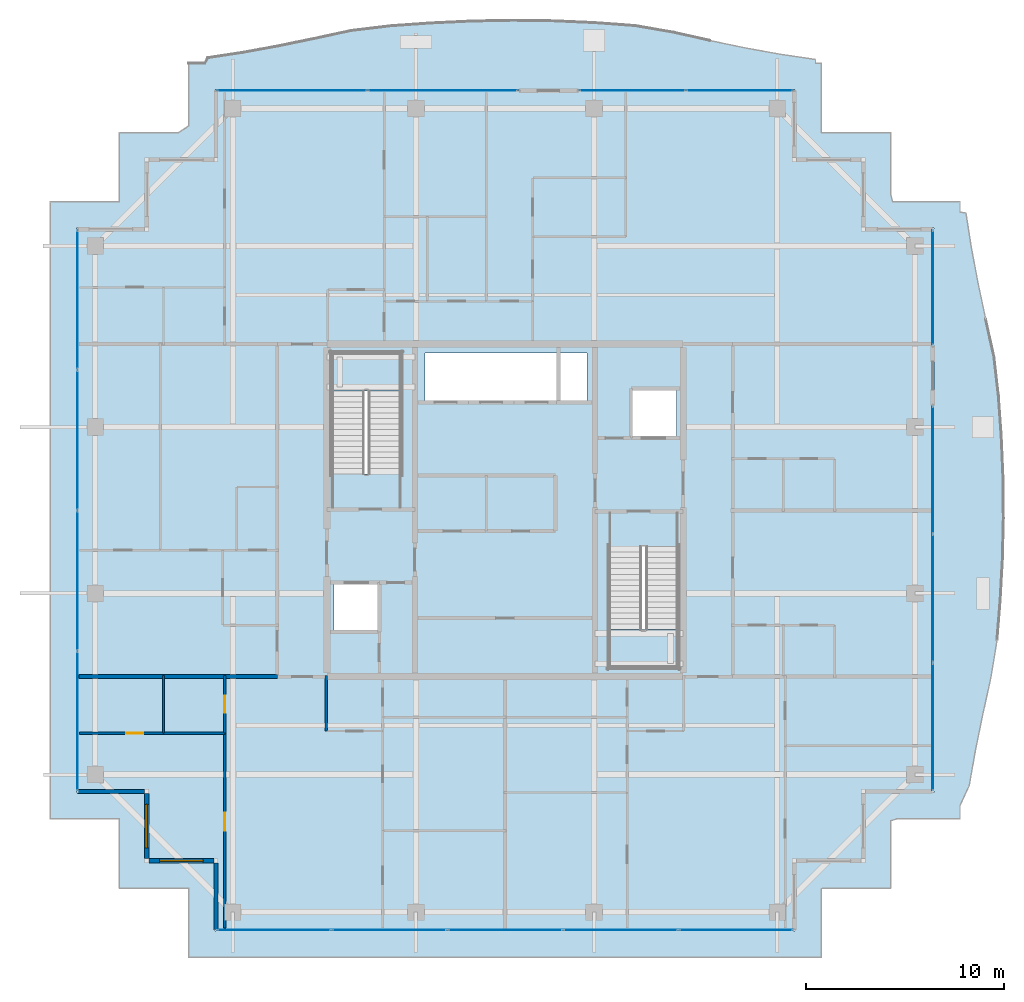
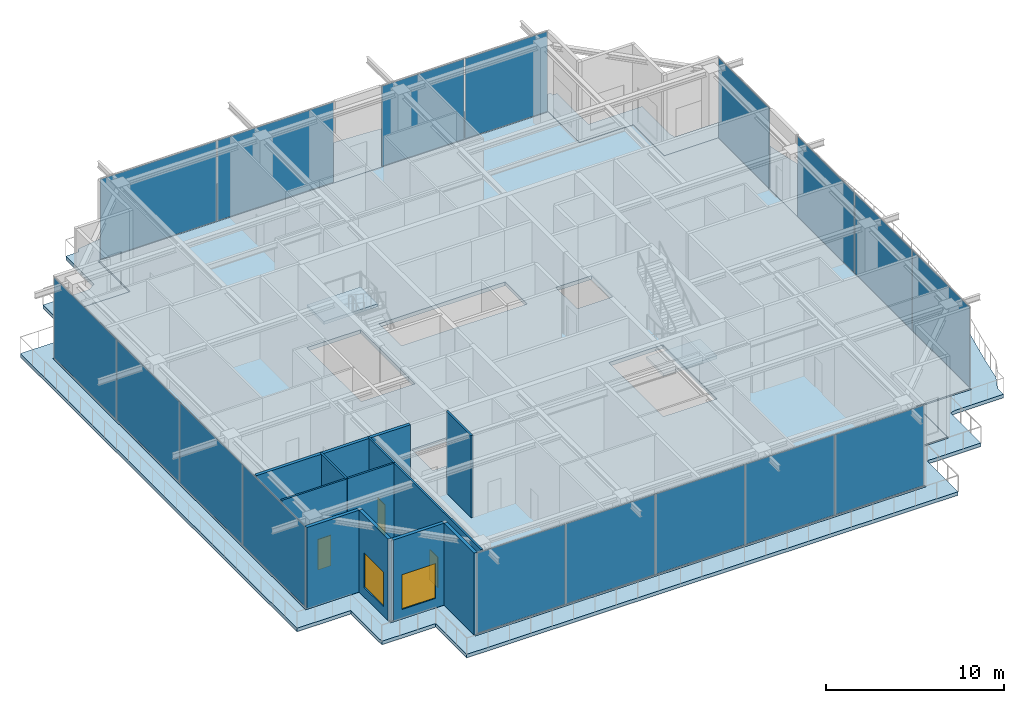
# One storey, part 26 of 40: 17 plates, 11 walls, 4 slabs, 3 doors, 2 windows, 5 openings, 8 elements without a shape of their own.
"""IFC4 building model written with IfcOpenShell, lengths in metres."""

from ifc_helpers import new_model, si_unit, direction, frame, frame_2d, origin, origin_2d, place, context, subcontext, project, spatial, polyline, rectangle, outline, extrude, source, transform, mapped, material, layer, layer_set, type_object, element, fill, aggregate, save


model = new_model("IFC4")

# Units and contexts
model_context = context("Model", 3, precision=1e-05, world=origin(), true_north=direction((0.0, 1.0)))
body_context = subcontext(model_context, "Body", "Model", "MODEL_VIEW")
ifc_project = project(units=[si_unit("LENGTHUNIT", "METRE"), si_unit("AREAUNIT", "SQUARE_METRE"), si_unit("VOLUMEUNIT", "CUBIC_METRE"), si_unit("PLANEANGLEUNIT", "RADIAN"), si_unit("MASSUNIT", "GRAM", prefix="KILO")], contexts=[model_context])

# Site, building, storey
site_placement = place(None, origin())
site = spatial("IfcSite", under=ifc_project, at=site_placement, CompositionType="ELEMENT")
building_placement = place(site_placement, origin())
building = spatial("IfcBuilding", under=site, at=building_placement, Name="Serunith Strait Residences", CompositionType="ELEMENT")
storey_placement = place(building_placement, frame((0.0, 0.0, 347.949951171875)))
storey = spatial("IfcBuildingStorey", under=building, at=storey_placement, Name="L86", CompositionType="ELEMENT", Elevation=347.949951171875)

# Slab
ifc_material_1 = material(Name="Concrete C50/60", Category="concrete")
ifc_layer_1 = layer(ifc_material_1, 0.239990234375, Name="Concrete C50/60")
ifc_layer_set_1 = layer_set([ifc_layer_1], Name="Concrete C50/60")
slab_type_1 = type_object("IfcSlabType", Name="SLB-BALC-240", PredefinedType="FLOOR", material=ifc_layer_set_1)
slab_1_placement = place(storey_placement, frame((0.0, 0.0, -0.2900390625)))
element("IfcSlab", 1, at=slab_1_placement, inside=storey, type_object=slab_type_1, Name="L86 Planted Vertical-Forest Balcony Slab", PredefinedType="FLOOR", context=body_context, shape_type="SweptSolid", body=[
    extrude(outline(polyline([(16.419921875, 47.780029296875), (17.242919921875, 47.780029296875), (17.3798828125, 48.0537109375), (19.1484375, 48.322021484375), (20.934814453125, 48.646728515625), (22.75537109375, 49.021484375), (24.62939453125, 49.42626953125), (26.611083984375, 49.662841796875), (28.647216796875, 49.806640625), (30.71044921875, 49.903564453125), (32.7890625, 49.94189453125), (34.86767578125, 49.914794921875), (36.9296875, 49.822998046875), (38.961181640625, 49.674560546875), (40.90234375, 49.340576171875), (42.752197265625, 48.926513671875), (44.552490234375, 48.55029296875), (46.323486328125, 48.230712890625), (48.08203125, 47.97119140625), (48.080078125, 47.780029296875), (48.3798828125, 47.780029296875), (48.3798828125, 44.280029296875), (51.8798828125, 44.280029296875), (51.8798828125, 41.168701171875), (51.97216796875, 40.780029296875), (55.3798828125, 40.780029296875), (55.3798828125, 40.260498046875), (55.678955078125, 40.21630859375), (55.956298828125, 38.4501953125), (56.2919921875, 36.666748046875), (56.679443359375, 34.84814453125), (57.095947265625, 32.974609375), (57.32568359375, 30.989013671875), (57.47021484375, 28.952880859375), (57.557861328125, 26.888916015625), (57.578369140625, 24.811279296875), (57.529296875, 22.737548828125), (57.4169921875, 20.68310546875), (57.25439453125, 18.660400390625), (56.93359375, 16.71923828125), (56.525390625, 14.868408203125), (56.1572265625, 13.064697265625), (55.84423828125, 11.2890625), (55.3798828125, 10.29541015625), (55.3798828125, 9.6201171875), (52.205322265625, 9.6201171875), (51.8798828125, 9.521484375), (51.8798828125, 6.1201171875), (48.43212890625, 6.1201171875), (48.3798828125, 6.0927734375), (48.3798828125, 2.6201171875), (16.419921875, 2.6201171875), (16.419921875, 6.1201171875), (12.919921875, 6.1201171875), (12.919921875, 9.6201171875), (9.419921875, 9.6201171875), (9.419921875, 40.780029296875), (12.919921875, 40.780029296875), (12.919921875, 44.280029296875), (15.911865234375, 44.280029296875), (16.419921875, 44.609619140625), (16.419921875, 47.780029296875)]), holes=[polyline([(47.054931640625, 3.945068359375), (47.054931640625, 7.445068359375), (50.554931640625, 7.445068359375), (50.554931640625, 10.945068359375), (54.054931640625, 10.945068359375), (54.054931640625, 39.455078125), (50.554931640625, 39.455078125), (50.554931640625, 42.955078125), (47.054931640625, 42.955078125), (47.054931640625, 46.455078125), (17.7451171875, 46.455078125), (17.7451171875, 42.955078125), (14.2451171875, 42.955078125), (14.2451171875, 39.455078125), (10.7451171875, 39.455078125), (10.7451171875, 10.945068359375), (14.2451171875, 10.945068359375), (14.2451171875, 7.445068359375), (17.7451171875, 7.445068359375), (17.7451171875, 3.945068359375), (47.054931640625, 3.945068359375)])]), origin(), (0.0, 0.0, 1.0), 0.239990234375),
])

# Stair, slab
stair_type_1 = type_object("IfcStairType", Name="STR-CORE-1", PredefinedType="HALF_TURN_STAIR", material=ifc_material_1)
stair_1_placement = place(storey_placement, origin())
stair_1 = element("IfcStair", 2, at=stair_1_placement, inside=storey, type_object=stair_type_1, Name="L86 Protected Escape Stair ST-1", PredefinedType="HALF_TURN_STAIR")
ifc_layer_2 = layer(ifc_material_1, 0.199951171875, Name="Concrete C50/60")
ifc_layer_set_2 = layer_set([ifc_layer_2], Name="Concrete C50/60")
slab_type_2 = type_object("IfcSlabType", Name="SLB-LAND-200", PredefinedType="LANDING", material=ifc_layer_set_2)
slab_2_placement = place(storey_placement, frame((0.0, 0.0, 2.75)))
slab_2 = element("IfcSlab", 3, at=slab_2_placement, type_object=slab_type_2, Name="ST-1 landing 1", PredefinedType="LANDING", context=body_context, shape_type="SweptSolid", body=[
    extrude(outline(polyline([(27.14990234375, 31.22998046875), (27.14990234375, 33.14990234375), (23.64990234375, 33.14990234375), (23.64990234375, 31.22998046875), (27.14990234375, 31.22998046875)])), origin(), (0.0, 0.0, 1.0), 0.199951171875),
])
aggregate(stair_1, [slab_2])

stair_type_2 = type_object("IfcStairType", Name="STR-CORE-2", PredefinedType="HALF_TURN_STAIR", material=ifc_material_1)
stair_2_placement = place(storey_placement, origin())
stair_2 = element("IfcStair", 4, at=stair_2_placement, inside=storey, type_object=stair_type_2, Name="L86 Protected Escape Stair ST-2", PredefinedType="HALF_TURN_STAIR")
slab_3_placement = place(storey_placement, frame((0.0, 0.0, 2.75)))
slab_3 = element("IfcSlab", 5, at=slab_3_placement, type_object=slab_type_2, Name="ST-2 landing 1", PredefinedType="LANDING", context=body_context, shape_type="SweptSolid", body=[
    extrude(outline(polyline([(37.64990234375, 19.169921875), (37.64990234375, 17.25), (41.14990234375, 17.25), (41.14990234375, 19.169921875), (37.64990234375, 19.169921875)])), origin(), (0.0, 0.0, 1.0), 0.199951171875),
])
aggregate(stair_2, [slab_3])

# Slab
ifc_material_2 = material(Name="Concrete C60/75", Category="concrete")
ifc_layer_3 = layer(ifc_material_2, 0.260009765625, Name="Concrete C60/75")
ifc_layer_set_3 = layer_set([ifc_layer_3], Name="Concrete C60/75")
slab_type_3 = type_object("IfcSlabType", Name="SLB-TWR-290-Z4", PredefinedType="FLOOR", material=ifc_layer_set_3)
slab_4_placement = place(storey_placement, frame((0.0, 0.0, -0.260009765625)))
element("IfcSlab", 6, at=slab_4_placement, inside=storey, type_object=slab_type_3, Name="L86 Structural Floor Plate", PredefinedType="FLOOR", context=body_context, shape_type="SweptSolid", body=[
    extrude(outline(polyline([(17.800048828125, 7.5), (14.300048828125, 7.5), (14.300048828125, 11.0), (10.800048828125, 11.0), (10.800048828125, 39.39990234375), (14.300048828125, 39.39990234375), (14.300048828125, 42.89990234375), (17.800048828125, 42.89990234375), (17.800048828125, 46.39990234375), (47.0, 46.39990234375), (47.0, 42.89990234375), (50.5, 42.89990234375), (50.5, 39.39990234375), (54.0, 39.39990234375), (54.0, 11.0), (50.5, 11.0), (50.5, 7.5), (47.0, 7.5), (47.0, 4.0), (17.800048828125, 4.0), (17.800048828125, 7.5)]), holes=[polyline([(41.14990234375, 23.3701171875), (37.64990234375, 23.3701171875), (37.64990234375, 17.25), (41.14990234375, 17.25), (41.14990234375, 23.3701171875)]), polyline([(38.75, 31.25), (38.75, 28.85009765625), (41.050048828125, 28.85009765625), (41.050048828125, 31.25), (38.75, 31.25)]), polyline([(36.550048828125, 33.14990234375), (28.35009765625, 33.14990234375), (28.35009765625, 30.64990234375), (36.550048828125, 30.64990234375), (36.550048828125, 33.14990234375)]), polyline([(23.64990234375, 33.14990234375), (23.64990234375, 27.030029296875), (27.14990234375, 27.030029296875), (27.14990234375, 33.14990234375), (23.64990234375, 33.14990234375)]), polyline([(23.75, 21.550048828125), (23.75, 19.14990234375), (26.050048828125, 19.14990234375), (26.050048828125, 21.550048828125), (23.75, 21.550048828125)])]), origin(), (0.0, 0.0, 1.0), 0.260009765625),
])

# Curtain wall, plates
ifc_material_3 = material(Name="Brushed Stainless-Silver Aluminium", Category="aluminium")
ifc_layer_4 = layer(ifc_material_3, 0.199951171875, Name="Brushed Stainless-Silver Aluminium")
ifc_layer_set_4 = layer_set([ifc_layer_4], Name="Brushed Stainless-Silver Aluminium")
curtain_wall_type = type_object("IfcCurtainWallType", Name="CW-SYS5", PredefinedType="NOTDEFINED", material=ifc_layer_set_4)
curtain_wall_1_placement = place(storey_placement, origin())
curtain_wall_1 = element("IfcCurtainWall", 7, at=curtain_wall_1_placement, inside=storey, type_object=curtain_wall_type, Name="L86 N Unitised Fritted Curtain Wall", PredefinedType="NOTDEFINED")
ifc_material_4 = material(Name="Triple-Silver Low-E Operable Glazing 34mm", Category="glass")
ifc_layer_5 = layer(ifc_material_4, 0.033935546875, Name="Triple-Silver Low-E Operable Glazing 34mm")
ifc_layer_set_5 = layer_set([ifc_layer_5], Name="Triple-Silver Low-E Operable Glazing 34mm")
plate_type = type_object("IfcPlateType", Name="CW-SYS5-PNL", PredefinedType="CURTAIN_PANEL", material=ifc_layer_set_5)
shared_shape_1 = source(origin(), body_context, "Body", "SweptSolid", [
    extrude(rectangle(XDim=5.3525390625, YDim=0.033935546875, at=origin_2d()), origin(), (0.0, 0.0, 1.0), 5.5048828125),
])
plate_1_placement = place(storey_placement, frame((44.2587890625, 46.39990234375, 0.06005859375), z_axis=(0.0, 0.0, 1.0), x_axis=(-1.0, 0.0, 0.0)))
plate_1 = element("IfcPlate", 8, at=plate_1_placement, type_object=plate_type, Name="CW-5 panel 1.1", PredefinedType="CURTAIN_PANEL", context=body_context, shape_type="MappedRepresentation", body=[
    mapped(shared_shape_1, transform((0.0, 0.0, 0.0), scale=1.0)),
])
plate_2_placement = place(storey_placement, frame((38.84130859375, 46.39990234375, 0.06005859375), z_axis=(0.0, 0.0, 1.0), x_axis=(-1.0, 0.0, 0.0)))
plate_2 = element("IfcPlate", 9, at=plate_2_placement, type_object=plate_type, Name="CW-5 panel 2.1", PredefinedType="CURTAIN_PANEL", context=body_context, shape_type="MappedRepresentation", body=[
    mapped(shared_shape_1, transform((0.0, 0.0, 0.0), scale=1.0)),
])
aggregate(curtain_wall_1, [plate_1, plate_2])

curtain_wall_2_placement = place(storey_placement, origin())
curtain_wall_2 = element("IfcCurtainWall", 10, at=curtain_wall_2_placement, inside=storey, type_object=curtain_wall_type, Name="L86 N Unitised Fritted Curtain Wall", PredefinedType="NOTDEFINED")
shared_shape_2 = source(origin(), body_context, "Body", "SweptSolid", [
    extrude(rectangle(XDim=7.552490234375, YDim=0.033935546875, at=origin_2d()), origin(), (0.0, 0.0, 1.0), 5.5048828125),
])
plate_3_placement = place(storey_placement, frame((29.2587890625, 46.39990234375, 0.06005859375), z_axis=(0.0, 0.0, 1.0), x_axis=(-1.0, 0.0, 0.0)))
plate_3 = element("IfcPlate", 11, at=plate_3_placement, type_object=plate_type, Name="CW-5 panel 1.1", PredefinedType="CURTAIN_PANEL", context=body_context, shape_type="MappedRepresentation", body=[
    mapped(shared_shape_2, transform((0.0, 0.0, 0.0), scale=1.0)),
])
plate_4_placement = place(storey_placement, frame((21.641357421875, 46.39990234375, 0.06005859375), z_axis=(0.0, 0.0, 1.0), x_axis=(-1.0, 0.0, 0.0)))
plate_4 = element("IfcPlate", 12, at=plate_4_placement, type_object=plate_type, Name="CW-5 panel 2.1", PredefinedType="CURTAIN_PANEL", context=body_context, shape_type="MappedRepresentation", body=[
    mapped(shared_shape_2, transform((0.0, 0.0, 0.0), scale=1.0)),
])
aggregate(curtain_wall_2, [plate_3, plate_4])

curtain_wall_3_placement = place(storey_placement, origin())
curtain_wall_3 = element("IfcCurtainWall", 13, at=curtain_wall_3_placement, inside=storey, type_object=curtain_wall_type, Name="L86 S Unitised Fritted Curtain Wall", PredefinedType="NOTDEFINED")
shared_shape_3 = source(origin(), body_context, "Body", "SweptSolid", [
    extrude(rectangle(XDim=5.742431640625, YDim=0.033935546875, at=origin_2d()), origin(), (0.0, 0.0, 1.0), 5.5048828125),
])
plate_5_placement = place(storey_placement, frame((20.736328125, 4.0, 0.06005859375), z_axis=(0.0, 0.0, 1.0), x_axis=(1.0, 0.0, 0.0)))
plate_5 = element("IfcPlate", 14, at=plate_5_placement, type_object=plate_type, Name="CW-5 panel 1.1", PredefinedType="CURTAIN_PANEL", context=body_context, shape_type="MappedRepresentation", body=[
    mapped(shared_shape_3, transform((0.0, 0.0, 0.0), scale=1.0)),
])
plate_6_placement = place(storey_placement, frame((44.063720703125, 4.0, 0.06005859375), z_axis=(0.0, 0.0, 1.0), x_axis=(1.0, 0.0, 0.0)))
plate_6 = element("IfcPlate", 15, at=plate_6_placement, type_object=plate_type, Name="CW-5 panel 5.1", PredefinedType="CURTAIN_PANEL", context=body_context, shape_type="MappedRepresentation", body=[
    mapped(shared_shape_3, transform((0.0, 0.0, 0.0), scale=1.0)),
])
shared_shape_4 = source(origin(), body_context, "Body", "SweptSolid", [
    extrude(rectangle(XDim=5.77490234375, YDim=0.033935546875, at=origin_2d()), origin(), (0.0, 0.0, 1.0), 5.5048828125),
])
plate_7_placement = place(storey_placement, frame((26.56005859375, 4.0, 0.06005859375), z_axis=(0.0, 0.0, 1.0), x_axis=(1.0, 0.0, 0.0)))
plate_7 = element("IfcPlate", 16, at=plate_7_placement, type_object=plate_type, Name="CW-5 panel 2.1", PredefinedType="CURTAIN_PANEL", context=body_context, shape_type="MappedRepresentation", body=[
    mapped(shared_shape_4, transform((0.0, 0.0, 0.0), scale=1.0)),
])
plate_8_placement = place(storey_placement, frame((32.39990234375, 4.0, 0.06005859375), z_axis=(0.0, 0.0, 1.0), x_axis=(1.0, 0.0, 0.0)))
plate_8 = element("IfcPlate", 17, at=plate_8_placement, type_object=plate_type, Name="CW-5 panel 3.1", PredefinedType="CURTAIN_PANEL", context=body_context, shape_type="MappedRepresentation", body=[
    mapped(shared_shape_4, transform((0.0, 0.0, 0.0), scale=1.0)),
])
plate_9_placement = place(storey_placement, frame((38.239990234375, 4.0, 0.06005859375), z_axis=(0.0, 0.0, 1.0), x_axis=(1.0, 0.0, 0.0)))
plate_9 = element("IfcPlate", 18, at=plate_9_placement, type_object=plate_type, Name="CW-5 panel 4.1", PredefinedType="CURTAIN_PANEL", context=body_context, shape_type="MappedRepresentation", body=[
    mapped(shared_shape_4, transform((0.0, 0.0, 0.0), scale=1.0)),
])
aggregate(curtain_wall_3, [plate_5, plate_7, plate_8, plate_9, plate_6])

curtain_wall_4_placement = place(storey_placement, origin())
curtain_wall_4 = element("IfcCurtainWall", 19, at=curtain_wall_4_placement, inside=storey, type_object=curtain_wall_type, Name="L86 W Unitised Fritted Curtain Wall", PredefinedType="NOTDEFINED")
shared_shape_5 = source(origin(), body_context, "Body", "SweptSolid", [
    extrude(rectangle(XDim=7.00244140625, YDim=0.033935546875, at=origin_2d()), origin(), (0.0, 0.0, 1.0), 5.5048828125),
])
plate_10_placement = place(storey_placement, frame((10.800048828125, 35.833740234375, 0.06005859375), z_axis=(0.0, 0.0, 1.0), x_axis=(0.0, -1.0, 0.0)))
plate_10 = element("IfcPlate", 20, at=plate_10_placement, type_object=plate_type, Name="CW-5 panel 1.1", PredefinedType="CURTAIN_PANEL", context=body_context, shape_type="MappedRepresentation", body=[
    mapped(shared_shape_5, transform((0.0, 0.0, 0.0), scale=1.0)),
])
plate_11_placement = place(storey_placement, frame((10.800048828125, 14.566162109375, 0.06005859375), z_axis=(0.0, 0.0, 1.0), x_axis=(0.0, -1.0, 0.0)))
plate_11 = element("IfcPlate", 21, at=plate_11_placement, type_object=plate_type, Name="CW-5 panel 4.1", PredefinedType="CURTAIN_PANEL", context=body_context, shape_type="MappedRepresentation", body=[
    mapped(shared_shape_5, transform((0.0, 0.0, 0.0), scale=1.0)),
])
shared_shape_6 = source(origin(), body_context, "Body", "SweptSolid", [
    extrude(rectangle(XDim=7.034912109375, YDim=0.033935546875, at=origin_2d()), origin(), (0.0, 0.0, 1.0), 5.5048828125),
])
plate_12_placement = place(storey_placement, frame((10.800048828125, 28.75, 0.06005859375), z_axis=(0.0, 0.0, 1.0), x_axis=(0.0, -1.0, 0.0)))
plate_12 = element("IfcPlate", 22, at=plate_12_placement, type_object=plate_type, Name="CW-5 panel 2.1", PredefinedType="CURTAIN_PANEL", context=body_context, shape_type="MappedRepresentation", body=[
    mapped(shared_shape_6, transform((0.0, 0.0, 0.0), scale=1.0)),
])
plate_13_placement = place(storey_placement, frame((10.800048828125, 21.64990234375, 0.06005859375), z_axis=(0.0, 0.0, 1.0), x_axis=(0.0, -1.0, 0.0)))
plate_13 = element("IfcPlate", 23, at=plate_13_placement, type_object=plate_type, Name="CW-5 panel 3.1", PredefinedType="CURTAIN_PANEL", context=body_context, shape_type="MappedRepresentation", body=[
    mapped(shared_shape_6, transform((0.0, 0.0, 0.0), scale=1.0)),
])
aggregate(curtain_wall_4, [plate_10, plate_12, plate_13, plate_11])

curtain_wall_5_placement = place(storey_placement, origin())
curtain_wall_5 = element("IfcCurtainWall", 24, at=curtain_wall_5_placement, inside=storey, type_object=curtain_wall_type, Name="L86 E Unitised Fritted Curtain Wall", PredefinedType="NOTDEFINED")
shared_shape_7 = source(origin(), body_context, "Body", "SweptSolid", [
    extrude(rectangle(XDim=6.402587890625, YDim=0.033935546875, at=origin_2d()), origin(), (0.0, 0.0, 1.0), 5.5048828125),
])
plate_14_placement = place(storey_placement, frame((54.0, 14.266357421875, 0.06005859375), z_axis=(0.0, 0.0, 1.0), x_axis=(0.0, 1.0, 0.0)))
plate_14 = element("IfcPlate", 25, at=plate_14_placement, type_object=plate_type, Name="CW-5 panel 1.1", PredefinedType="CURTAIN_PANEL", context=body_context, shape_type="MappedRepresentation", body=[
    mapped(shared_shape_7, transform((0.0, 0.0, 0.0), scale=1.0)),
])
plate_15_placement = place(storey_placement, frame((54.0, 27.233642578125, 0.06005859375), z_axis=(0.0, 0.0, 1.0), x_axis=(0.0, 1.0, 0.0)))
plate_15 = element("IfcPlate", 26, at=plate_15_placement, type_object=plate_type, Name="CW-5 panel 3.1", PredefinedType="CURTAIN_PANEL", context=body_context, shape_type="MappedRepresentation", body=[
    mapped(shared_shape_7, transform((0.0, 0.0, 0.0), scale=1.0)),
])
shared_shape_8 = source(origin(), body_context, "Body", "SweptSolid", [
    extrude(rectangle(XDim=6.43505859375, YDim=0.033935546875, at=origin_2d()), origin(), (0.0, 0.0, 1.0), 5.5048828125),
])
plate_16_placement = place(storey_placement, frame((54.0, 20.75, 0.06005859375), z_axis=(0.0, 0.0, 1.0), x_axis=(0.0, 1.0, 0.0)))
plate_16 = element("IfcPlate", 27, at=plate_16_placement, type_object=plate_type, Name="CW-5 panel 2.1", PredefinedType="CURTAIN_PANEL", context=body_context, shape_type="MappedRepresentation", body=[
    mapped(shared_shape_8, transform((0.0, 0.0, 0.0), scale=1.0)),
])
aggregate(curtain_wall_5, [plate_14, plate_16, plate_15])

# Curtain wall, plate
curtain_wall_6_placement = place(storey_placement, origin())
curtain_wall_6 = element("IfcCurtainWall", 28, at=curtain_wall_6_placement, inside=storey, type_object=curtain_wall_type, Name="L86 E Unitised Fritted Curtain Wall", PredefinedType="NOTDEFINED")
shared_shape_9 = source(origin(), body_context, "Body", "SweptSolid", [
    extrude(rectangle(XDim=5.77001953125, YDim=0.033935546875, at=origin_2d()), origin(), (0.0, 0.0, 1.0), 5.5048828125),
])
plate_17_placement = place(storey_placement, frame((54.0, 36.449951171875, 0.06005859375), z_axis=(0.0, 0.0, 1.0), x_axis=(0.0, 1.0, 0.0)))
plate_17 = element("IfcPlate", 29, at=plate_17_placement, type_object=plate_type, Name="CW-5 panel 1.1", PredefinedType="CURTAIN_PANEL", context=body_context, shape_type="MappedRepresentation", body=[
    mapped(shared_shape_9, transform((0.0, 0.0, 0.0), scale=1.0)),
])
aggregate(curtain_wall_6, [plate_17])

# Wall
ifc_material_5 = material(Name="Pale-Champagne Aluminium Insulated Panel", Category="aluminium")
ifc_layer_6 = layer(ifc_material_5, 0.219970703125, Name="Pale-Champagne Aluminium Insulated Panel")
ifc_layer_set_6 = layer_set([ifc_layer_6], Name="Pale-Champagne Aluminium Insulated Panel")
wall_type_1 = type_object("IfcWallType", Name="EW-ALUM-220", PredefinedType="ELEMENTEDWALL", material=ifc_layer_set_6)
wall_1_placement = place(storey_placement, frame((10.800048828125, 11.0, 0.0), z_axis=(0.0, 0.0, 1.0), x_axis=(1.0, 0.0, 0.0)))
element("IfcWall", 30, at=wall_1_placement, inside=storey, type_object=wall_type_1, Name="L86 Girih Serrated Corner Wall 17", PredefinedType="ELEMENTEDWALL", context=body_context, shape_type="SweptSolid", body=[
    extrude(rectangle(XDim=3.389892578125, YDim=0.219970703125, at=frame_2d((1.69482421875, 0.0))), origin(), (0.0, 0.0, 1.0), 5.625),
])

# Wall, opening, window
wall_2_placement = place(storey_placement, frame((14.300048828125, 10.889892578125, 0.0), z_axis=(0.0, 0.0, 1.0), x_axis=(0.0, -1.0, 0.0)))
wall_2 = element("IfcWall", 31, at=wall_2_placement, inside=storey, type_object=wall_type_1, Name="L86 Girih Serrated Corner Wall 18", PredefinedType="ELEMENTEDWALL", context=body_context, shape_type="SweptSolid", body=[
    extrude(rectangle(XDim=3.27978515625, YDim=0.219970703125, at=frame_2d((1.639892578125, 0.0))), origin(), (0.0, 0.0, 1.0), 5.625),
])
opening_1_placement = place(wall_2_placement, frame((0.5400390625, 0.0, 0.64990234375)))
opening_1 = element("IfcOpeningElement", 32, at=opening_1_placement, cuts=wall_2, Name="Opening W-06", PredefinedType="OPENING", context=body_context, shape_type="SweptSolid", body=[
    extrude(rectangle(XDim=2.199951171875, YDim=2.39990234375, at=frame_2d((1.10009765625, 1.199951171875))), frame((0.0, 0.1201171875, 0.0), z_axis=(0.0, -1.0, 0.0), x_axis=(1.0, 0.0, 0.0)), (0.0, 0.0, 1.0), 0.239990234375),
])
ifc_material_6 = material(Name="Crown Penthouse Low-E Operable Window Glass", Category="glass")
window_type = type_object("IfcWindowType", Name="WIN-C6", PartitioningType="TRIPLE_PANEL_VERTICAL", PredefinedType="WINDOW", material=ifc_material_6)
shared_shape_10 = source(origin(), body_context, "Body", "SweptSolid", [
    extrude(rectangle(XDim=2.199951171875, YDim=2.39990234375, at=frame_2d((1.10009765625, 1.199951171875))), frame((0.0, 0.030029296875, 0.0), z_axis=(0.0, -1.0, 0.0), x_axis=(1.0, 0.0, 0.0)), (0.0, 0.0, 1.0), 0.06005859375),
])
window_1_placement = place(opening_1_placement, origin())
window_1 = element("IfcWindow", 33, at=window_1_placement, inside=storey, type_object=window_type, Name="L86 Corner Operable Fritted Window 18", OverallHeight=2.39990234375, OverallWidth=2.199951171875, PartitioningType="SINGLE_PANEL", PredefinedType="WINDOW", context=body_context, shape_type="MappedRepresentation", body=[
    mapped(shared_shape_10, transform((0.0, 0.0, 0.0), scale=1.0)),
])
fill(opening_1, window_1)

wall_3_placement = place(storey_placement, frame((14.409912109375, 7.5, 0.0), z_axis=(0.0, 0.0, 1.0), x_axis=(1.0, 0.0, 0.0)))
wall_3 = element("IfcWall", 34, at=wall_3_placement, inside=storey, type_object=wall_type_1, Name="L86 Girih Serrated Corner Wall 19", PredefinedType="ELEMENTEDWALL", context=body_context, shape_type="SweptSolid", body=[
    extrude(rectangle(XDim=3.280029296875, YDim=0.219970703125, at=frame_2d((1.64013671875, 0.0))), origin(), (0.0, 0.0, 1.0), 5.625),
])
opening_2_placement = place(wall_3_placement, frame((0.5400390625, 0.0, 0.64990234375)))
opening_2 = element("IfcOpeningElement", 35, at=opening_2_placement, cuts=wall_3, Name="Opening W-06", PredefinedType="OPENING", context=body_context, shape_type="SweptSolid", body=[
    extrude(rectangle(XDim=2.199951171875, YDim=2.39990234375, at=frame_2d((1.10009765625, 1.199951171875))), frame((0.0, 0.1201171875, 0.0), z_axis=(0.0, -1.0, 0.0), x_axis=(1.0, 0.0, 0.0)), (0.0, 0.0, 1.0), 0.239990234375),
])
window_2_placement = place(opening_2_placement, origin())
window_2 = element("IfcWindow", 36, at=window_2_placement, inside=storey, type_object=window_type, Name="L86 Corner Operable Fritted Window 19", OverallHeight=2.39990234375, OverallWidth=2.199951171875, PartitioningType="SINGLE_PANEL", PredefinedType="WINDOW", context=body_context, shape_type="MappedRepresentation", body=[
    mapped(shared_shape_10, transform((0.0, 0.0, 0.0), scale=1.0)),
])
fill(opening_2, window_2)

# Walls
wall_4_placement = place(storey_placement, frame((17.800048828125, 7.389892578125, 0.0), z_axis=(0.0, 0.0, 1.0), x_axis=(0.0, -1.0, 0.0)))
element("IfcWall", 37, at=wall_4_placement, inside=storey, type_object=wall_type_1, Name="L86 Girih Serrated Corner Wall 20", PredefinedType="ELEMENTEDWALL", context=body_context, shape_type="SweptSolid", body=[
    extrude(rectangle(XDim=3.389892578125, YDim=0.219970703125, at=frame_2d((1.69482421875, 0.0))), origin(), (0.0, 0.0, 1.0), 5.625),
])
ifc_material_7 = material(Name="Lightweight steel-stud gypsum partition", Category="steel")
ifc_layer_7 = layer(ifc_material_7, 0.1201171875, Name="Lightweight steel-stud gypsum partition")
ifc_layer_set_7 = layer_set([ifc_layer_7], Name="Lightweight steel-stud gypsum partition")
wall_type_2 = type_object("IfcWallType", Name="IW-PART-120", PredefinedType="PARTITIONING", material=ifc_layer_set_7)
wall_5_placement = place(storey_placement, frame((23.3701171875, 14.050048828125, 0.0), z_axis=(0.0, 0.0, 1.0), x_axis=(0.0, 1.0, 0.0)))
element("IfcWall", 38, at=wall_5_placement, inside=storey, type_object=wall_type_2, Name="L86 Partition Wall 031", PredefinedType="PARTITIONING", context=body_context, shape_type="SweptSolid", body=[
    extrude(rectangle(XDim=2.81005859375, YDim=0.1201171875, at=frame_2d((1.405029296875, 0.0))), origin(), (0.0, 0.0, 1.0), 5.64013671875),
])

# Wall, opening, door
wall_6_placement = place(storey_placement, frame((18.25, 4.094970703125, 0.0), z_axis=(0.0, 0.0, 1.0), x_axis=(0.0, 1.0, 0.0)))
wall_6 = element("IfcWall", 39, at=wall_6_placement, inside=storey, type_object=wall_type_2, Name="L86 Partition Wall 032", PredefinedType="PARTITIONING", context=body_context, shape_type="SweptSolid", body=[
    extrude(rectangle(XDim=9.84912109375, YDim=0.1201171875, at=frame_2d((4.924560546875, 0.0))), origin(), (0.0, 0.0, 1.0), 5.64013671875),
])
opening_3_placement = place(wall_6_placement, frame((4.922119140625, 0.0, 0.0)))
opening_3 = element("IfcOpeningElement", 40, at=opening_3_placement, cuts=wall_6, Name="Opening D-RM900", PredefinedType="OPENING", context=body_context, shape_type="SweptSolid", body=[
    extrude(rectangle(XDim=0.89990234375, YDim=2.10009765625, at=frame_2d((0.449951171875, 1.050048828125))), frame((0.0, 0.070068359375, 0.0), z_axis=(0.0, -1.0, 0.0), x_axis=(1.0, 0.0, 0.0)), (0.0, 0.0, 1.0), 0.14013671875),
])
ifc_material_8 = material(Name="Engineered timber flush bedroom door", Category="wood")
door_type_1 = type_object("IfcDoorType", Name="ID-ROOM-900", OperationType="NOTDEFINED", PredefinedType="DOOR", material=ifc_material_8)
shared_shape_11 = source(origin(), body_context, "Body", "SweptSolid", [
    extrude(rectangle(XDim=0.89990234375, YDim=2.10009765625, at=frame_2d((0.449951171875, 1.050048828125))), frame((0.0, 0.02490234375, 0.0), z_axis=(0.0, -1.0, 0.0), x_axis=(1.0, 0.0, 0.0)), (0.0, 0.0, 1.0), 0.050048828125),
])
door_1_placement = place(opening_3_placement, origin())
door_1 = element("IfcDoor", 41, at=door_1_placement, inside=storey, type_object=door_type_1, Name="L86 Master Bedroom 1 8601 Door", OperationType="SINGLE_SWING_LEFT", OverallHeight=2.10009765625, OverallWidth=0.89990234375, PredefinedType="DOOR", context=body_context, shape_type="MappedRepresentation", body=[
    mapped(shared_shape_11, transform((0.0, 0.0, 0.0), scale=1.0)),
])
fill(opening_3, door_1)

wall_7_placement = place(storey_placement, frame((10.89501953125, 13.944091796875, 0.0), z_axis=(0.0, 0.0, 1.0), x_axis=(1.0, 0.0, 0.0)))
wall_7 = element("IfcWall", 42, at=wall_7_placement, inside=storey, type_object=wall_type_2, Name="L86 Partition Wall 033", PredefinedType="PARTITIONING", context=body_context, shape_type="SweptSolid", body=[
    extrude(rectangle(XDim=4.2548828125, YDim=0.1201171875, at=frame_2d((2.12744140625, 0.0))), origin(), (0.0, 0.0, 1.0), 5.64013671875),
])
opening_4_placement = place(wall_7_placement, frame((2.384033203125, 0.0, 0.0)))
opening_4 = element("IfcOpeningElement", 43, at=opening_4_placement, cuts=wall_7, Name="Opening D-RM850", PredefinedType="OPENING", context=body_context, shape_type="SweptSolid", body=[
    extrude(rectangle(XDim=0.85009765625, YDim=2.10009765625, at=frame_2d((0.425048828125, 1.050048828125))), frame((0.0, 0.070068359375, 0.0), z_axis=(0.0, -1.0, 0.0), x_axis=(1.0, 0.0, 0.0)), (0.0, 0.0, 1.0), 0.14013671875),
])
ifc_material_9 = material(Name="Engineered timber flush study and kitchen door", Category="wood")
door_type_2 = type_object("IfcDoorType", Name="ID-ROOM-850", OperationType="NOTDEFINED", PredefinedType="DOOR", material=ifc_material_9)
shared_shape_12 = source(origin(), body_context, "Body", "SweptSolid", [
    extrude(rectangle(XDim=0.85009765625, YDim=2.10009765625, at=frame_2d((0.425048828125, 1.050048828125))), frame((0.0, 0.02490234375, 0.0), z_axis=(0.0, -1.0, 0.0), x_axis=(1.0, 0.0, 0.0)), (0.0, 0.0, 1.0), 0.050048828125),
])
door_2_placement = place(opening_4_placement, origin())
door_2 = element("IfcDoor", 44, at=door_2_placement, inside=storey, type_object=door_type_2, Name="L86 Wardrobe 8601 Door", OperationType="SINGLE_SWING_RIGHT", OverallHeight=2.10009765625, OverallWidth=0.85009765625, PredefinedType="DOOR", context=body_context, shape_type="MappedRepresentation", body=[
    mapped(shared_shape_12, transform((0.0, 0.0, 0.0), scale=1.0)),
])
fill(opening_4, door_2)

# Walls
wall_8_placement = place(storey_placement, frame((15.152099609375, 13.944091796875, 0.0), z_axis=(0.0, 0.0, 1.0), x_axis=(1.0, 0.0, 0.0)))
element("IfcWall", 45, at=wall_8_placement, inside=storey, type_object=wall_type_2, Name="L86 Partition Wall 034", PredefinedType="PARTITIONING", context=body_context, shape_type="SweptSolid", body=[
    extrude(rectangle(XDim=3.097900390625, YDim=0.1201171875, at=frame_2d((1.548828125, 0.0))), origin(), (0.0, 0.0, 1.0), 5.64013671875),
])
wall_9_placement = place(storey_placement, frame((15.14990234375, 13.944091796875, 0.0), z_axis=(0.0, 0.0, 1.0), x_axis=(0.0, 1.0, 0.0)))
element("IfcWall", 46, at=wall_9_placement, inside=storey, type_object=wall_type_2, Name="L86 Partition Wall 035", PredefinedType="PARTITIONING", context=body_context, shape_type="SweptSolid", body=[
    extrude(rectangle(XDim=2.916015625, YDim=0.1201171875, at=frame_2d((1.4580078125, 0.0))), origin(), (0.0, 0.0, 1.0), 5.64013671875),
])

# Wall, opening, door
wall_10_placement = place(storey_placement, frame((18.25, 13.946044921875, 0.0), z_axis=(0.0, 0.0, 1.0), x_axis=(0.0, 1.0, 0.0)))
wall_10 = element("IfcWall", 47, at=wall_10_placement, inside=storey, type_object=wall_type_2, Name="L86 Partition Wall 036", PredefinedType="PARTITIONING", context=body_context, shape_type="SweptSolid", body=[
    extrude(rectangle(XDim=2.9140625, YDim=0.1201171875, at=frame_2d((1.45703125, 0.0))), origin(), (0.0, 0.0, 1.0), 5.64013671875),
])
opening_5_placement = place(wall_10_placement, frame((1.031982421875, 0.0, 0.0)))
opening_5 = element("IfcOpeningElement", 48, at=opening_5_placement, cuts=wall_10, Name="Opening D-BTH850", PredefinedType="OPENING", context=body_context, shape_type="SweptSolid", body=[
    extrude(rectangle(XDim=0.85009765625, YDim=2.10009765625, at=frame_2d((0.425048828125, 1.050048828125))), frame((0.0, 0.070068359375, 0.0), z_axis=(0.0, -1.0, 0.0), x_axis=(1.0, 0.0, 0.0)), (0.0, 0.0, 1.0), 0.14013671875),
])
ifc_material_10 = material(Name="Moisture-resistant timber bathroom door", Category="wood")
door_type_3 = type_object("IfcDoorType", Name="ID-BATH-850", OperationType="NOTDEFINED", PredefinedType="DOOR", material=ifc_material_10)
door_3_placement = place(opening_5_placement, origin())
door_3 = element("IfcDoor", 49, at=door_3_placement, inside=storey, type_object=door_type_3, Name="L86 Bathroom 8601 Door", OperationType="SINGLE_SWING_LEFT", OverallHeight=2.10009765625, OverallWidth=0.85009765625, PredefinedType="DOOR", context=body_context, shape_type="MappedRepresentation", body=[
    mapped(shared_shape_12, transform((0.0, 0.0, 0.0), scale=1.0)),
])
fill(opening_5, door_3)

# Wall
ifc_material_11 = material(Name="Twin-stud acoustic gypsum board partition")
ifc_layer_8 = layer(ifc_material_11, 0.199951171875, Name="Twin-stud acoustic gypsum board partition")
ifc_layer_set_8 = layer_set([ifc_layer_8], Name="Twin-stud acoustic gypsum board partition")
wall_type_3 = type_object("IfcWallType", Name="IW-PARTY-200", PredefinedType="PARTITIONING", material=ifc_layer_set_8)
wall_11_placement = place(storey_placement, frame((10.882080078125, 16.800048828125, 0.0), z_axis=(0.0, 0.0, 1.0), x_axis=(1.0, 0.0, 0.0)))
element("IfcWall", 50, at=wall_11_placement, inside=storey, type_object=wall_type_3, Name="L86 Partition Wall 020", PredefinedType="PARTITIONING", context=body_context, shape_type="SweptSolid", body=[
    extrude(rectangle(XDim=10.017822265625, YDim=0.199951171875, at=frame_2d((5.0087890625, 0.0))), origin(), (0.0, 0.0, 1.0), 5.64013671875),
])

save(model, "model.ifc")
